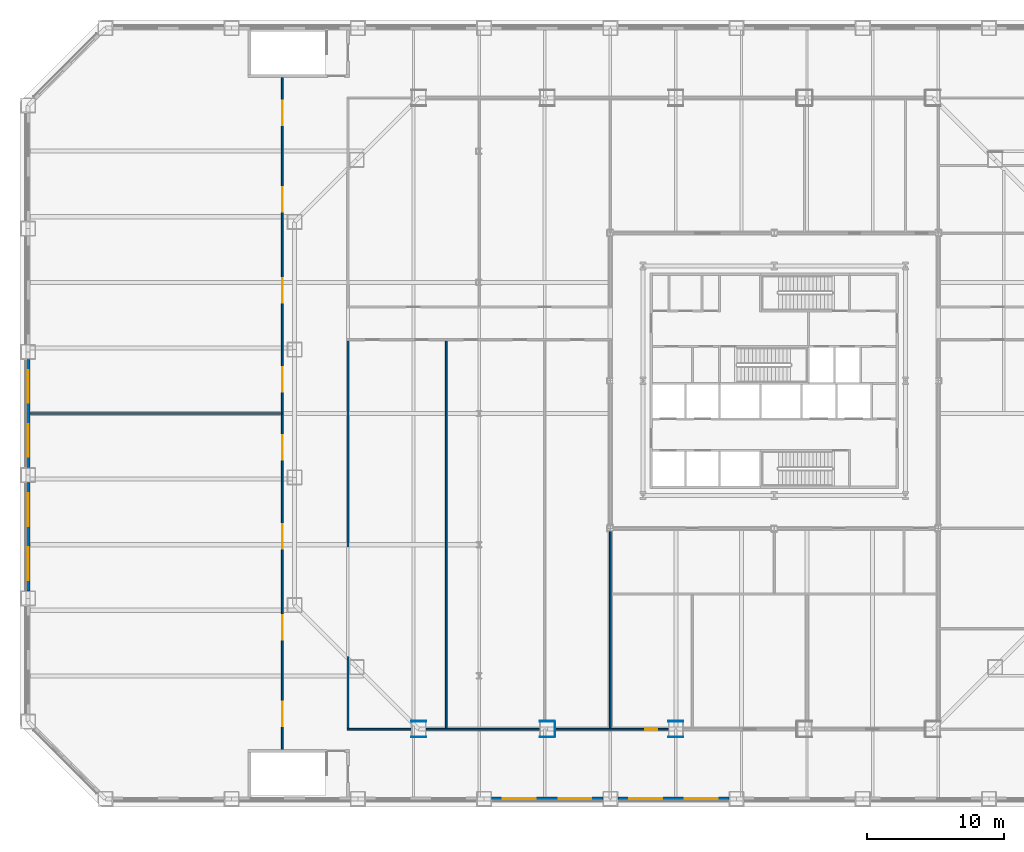
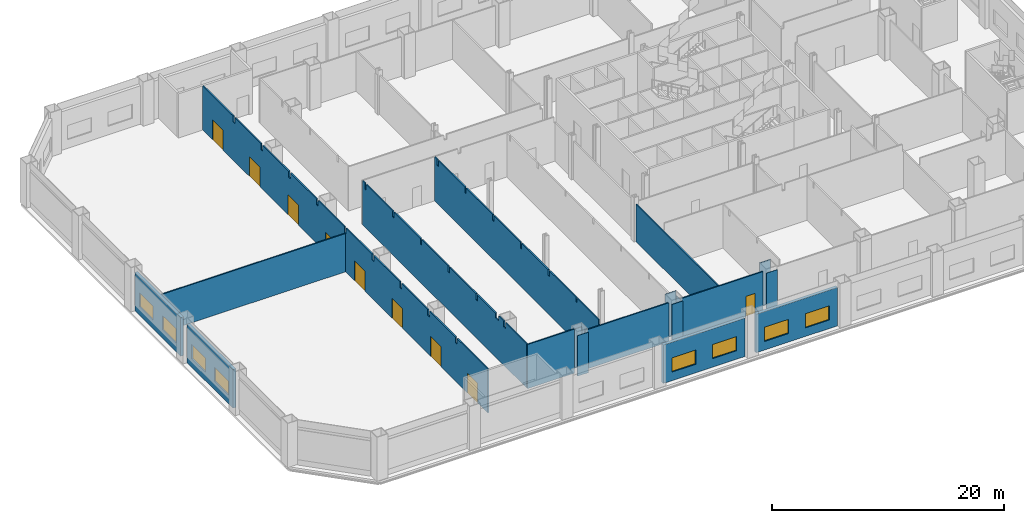
# One storey, part 9 of 22: 19 walls, 9 doors, 8 windows, 17 openings.
"""IFC4 building model written with IfcOpenShell, lengths in metres."""

from ifc_helpers import new_model, si_unit, direction, frame, frame_2d, origin, place, context, subcontext, project, spatial, polyline, rectangle, outline, extrude, material, layer, layer_set, type_object, element, fill, save


model = new_model("IFC4")

# Units and contexts
model_context = context("Model", 3, precision=1e-05, world=origin(), true_north=direction((0.0, 1.0)))
body_context = subcontext(model_context, "Body", "Model", "MODEL_VIEW")
ifc_project = project(units=[si_unit("LENGTHUNIT", "METRE"), si_unit("AREAUNIT", "SQUARE_METRE"), si_unit("VOLUMEUNIT", "CUBIC_METRE"), si_unit("PLANEANGLEUNIT", "RADIAN"), si_unit("MASSUNIT", "GRAM", prefix="KILO")], contexts=[model_context])

# Site, building, storey
site_placement = place(None, origin())
site = spatial("IfcSite", under=ifc_project, at=site_placement, CompositionType="ELEMENT")
building_placement = place(site_placement, origin())
building = spatial("IfcBuilding", under=site, at=building_placement, Name="Cairn Pilgrim Tower", CompositionType="ELEMENT")
storey_placement = place(building_placement, frame((0.0, 0.0, 35.39990234375)))
storey = spatial("IfcBuildingStorey", under=building, at=storey_placement, Name="L06", CompositionType="ELEMENT", Elevation=35.39990234375)

# Wall, openings, doors
ifc_material_1 = material(Name="Gypsum partition")
ifc_layer_1 = layer(ifc_material_1, 0.125)
ifc_layer_set_1 = layer_set([ifc_layer_1], Name="PARTITION 125 DRYWALL EI 60")
wall_type_1 = type_object("IfcWallType", Name="PARTITION 125 DRYWALL EI 60", PredefinedType="PARTITIONING", material=ifc_layer_set_1)
wall_1_placement = place(storey_placement, frame((-28.800048828125, -24.60009765625, 0.0), z_axis=(0.0, 0.0, 1.0), x_axis=(0.0, 1.0, 0.0)))
wall_1 = element("IfcWall", 1, at=wall_1_placement, inside=storey, type_object=wall_type_1, Name="PARTITION W007", PredefinedType="PARTITIONING", context=body_context, shape_type="SweptSolid", body=[
    extrude(outline(polyline([(0.0, 0.0), (49.2001953125, 0.0), (49.199951171875, 4.650146484375), (43.949951171875, 4.650146484375), (43.947998046875, 4.030029296875), (43.64990234375, 4.030029296875), (43.64794921875, 4.650146484375), (39.14990234375, 4.650146484375), (39.14794921875, 4.030029296875), (38.85009765625, 4.030029296875), (38.847900390625, 4.650146484375), (34.35009765625, 4.650146484375), (34.347900390625, 4.030029296875), (34.050048828125, 4.030029296875), (34.048095703125, 4.650146484375), (29.550048828125, 4.650146484375), (29.548095703125, 4.030029296875), (29.25, 4.030029296875), (29.248046875, 4.650146484375), (24.75, 4.650146484375), (24.748046875, 4.030029296875), (24.449951171875, 4.030029296875), (24.447998046875, 4.650146484375), (19.949951171875, 4.650146484375), (19.947998046875, 4.030029296875), (19.64990234375, 4.030029296875), (19.64794921875, 4.650146484375), (15.14990234375, 4.650146484375), (15.14794921875, 4.030029296875), (14.85009765625, 4.030029296875), (14.847900390625, 4.650146484375), (10.35009765625, 4.650146484375), (10.347900390625, 4.030029296875), (10.050048828125, 4.030029296875), (10.048095703125, 4.650146484375), (5.550048828125, 4.650146484375), (5.548095703125, 4.030029296875), (5.25, 4.030029296875), (5.248046875, 4.650146484375), (0.0, 4.650146484375), (0.0, 0.0)])), frame((0.0, 0.0625, 0.0), z_axis=(0.0, -1.0, 0.0), x_axis=(1.0, 0.0, 0.0)), (0.0, 0.0, 1.0), 0.125),
])
opening_1_placement = place(wall_1_placement, frame((1.699951171875, 0.0, 0.0)))
opening_1 = element("IfcOpeningElement", 2, at=opening_1_placement, cuts=wall_1, Name="Opening 0631", PredefinedType="OPENING", context=body_context, shape_type="SweptSolid", body=[
    extrude(rectangle(XDim=1.800048828125, YDim=2.10009765625, at=frame_2d((0.89990234375, 1.050048828125))), frame((0.0, 0.072509765625, 0.0), z_axis=(0.0, -1.0, 0.0), x_axis=(1.0, 0.0, 0.0)), (0.0, 0.0, 1.0), 0.14501953125),
])
opening_2_placement = place(wall_1_placement, frame((8.050048828125, 0.0, 0.0)))
opening_2 = element("IfcOpeningElement", 3, at=opening_2_placement, cuts=wall_1, Name="Opening 0632", PredefinedType="OPENING", context=body_context, shape_type="SweptSolid", body=[
    extrude(rectangle(XDim=1.800048828125, YDim=2.10009765625, at=frame_2d((0.89990234375, 1.050048828125))), frame((0.0, 0.072509765625, 0.0), z_axis=(0.0, -1.0, 0.0), x_axis=(1.0, 0.0, 0.0)), (0.0, 0.0, 1.0), 0.14501953125),
])
opening_3_placement = place(wall_1_placement, frame((14.699951171875, 0.0, 0.0)))
opening_3 = element("IfcOpeningElement", 4, at=opening_3_placement, cuts=wall_1, Name="Opening 0633", PredefinedType="OPENING", context=body_context, shape_type="SweptSolid", body=[
    extrude(rectangle(XDim=1.800048828125, YDim=2.10009765625, at=frame_2d((0.89990234375, 1.050048828125))), frame((0.0, 0.072509765625, 0.0), z_axis=(0.0, -1.0, 0.0), x_axis=(1.0, 0.0, 0.0)), (0.0, 0.0, 1.0), 0.14501953125),
])
opening_4_placement = place(wall_1_placement, frame((21.199951171875, 0.0, 0.0)))
opening_4 = element("IfcOpeningElement", 5, at=opening_4_placement, cuts=wall_1, Name="Opening 0634", PredefinedType="OPENING", context=body_context, shape_type="SweptSolid", body=[
    extrude(rectangle(XDim=1.800048828125, YDim=2.10009765625, at=frame_2d((0.89990234375, 1.050048828125))), frame((0.0, 0.072509765625, 0.0), z_axis=(0.0, -1.0, 0.0), x_axis=(1.0, 0.0, 0.0)), (0.0, 0.0, 1.0), 0.14501953125),
])
opening_5_placement = place(wall_1_placement, frame((26.199951171875, 0.0, 0.0)))
opening_5 = element("IfcOpeningElement", 6, at=opening_5_placement, cuts=wall_1, Name="Opening 0635", PredefinedType="OPENING", context=body_context, shape_type="SweptSolid", body=[
    extrude(rectangle(XDim=1.800048828125, YDim=2.10009765625, at=frame_2d((0.89990234375, 1.050048828125))), frame((0.0, 0.072509765625, 0.0), z_axis=(0.0, -1.0, 0.0), x_axis=(1.0, 0.0, 0.0)), (0.0, 0.0, 1.0), 0.14501953125),
])
opening_6_placement = place(wall_1_placement, frame((32.699951171875, 0.0, 0.0)))
opening_6 = element("IfcOpeningElement", 7, at=opening_6_placement, cuts=wall_1, Name="Opening 0636", PredefinedType="OPENING", context=body_context, shape_type="SweptSolid", body=[
    extrude(rectangle(XDim=1.800048828125, YDim=2.10009765625, at=frame_2d((0.89990234375, 1.050048828125))), frame((0.0, 0.072509765625, 0.0), z_axis=(0.0, -1.0, 0.0), x_axis=(1.0, 0.0, 0.0)), (0.0, 0.0, 1.0), 0.14501953125),
])
opening_7_placement = place(wall_1_placement, frame((39.35009765625, 0.0, 0.0)))
opening_7 = element("IfcOpeningElement", 8, at=opening_7_placement, cuts=wall_1, Name="Opening 0637", PredefinedType="OPENING", context=body_context, shape_type="SweptSolid", body=[
    extrude(rectangle(XDim=1.800048828125, YDim=2.10009765625, at=frame_2d((0.89990234375, 1.050048828125))), frame((0.0, 0.072509765625, 0.0), z_axis=(0.0, -1.0, 0.0), x_axis=(1.0, 0.0, 0.0)), (0.0, 0.0, 1.0), 0.14501953125),
])
opening_8_placement = place(wall_1_placement, frame((45.699951171875, 0.0, 0.0)))
opening_8 = element("IfcOpeningElement", 9, at=opening_8_placement, cuts=wall_1, Name="Opening 0638", PredefinedType="OPENING", context=body_context, shape_type="SweptSolid", body=[
    extrude(rectangle(XDim=1.800048828125, YDim=2.10009765625, at=frame_2d((0.89990234375, 1.050048828125))), frame((0.0, 0.072509765625, 0.0), z_axis=(0.0, -1.0, 0.0), x_axis=(1.0, 0.0, 0.0)), (0.0, 0.0, 1.0), 0.14501953125),
])
ifc_material_2 = material(Name="Timber door leaf", Category="wood")
door_type_1 = type_object("IfcDoorType", Name="DOOR PAIR 1800x2100 FD60S", OperationType="NOTDEFINED", PredefinedType="DOOR", material=ifc_material_2)
door_1_placement = place(opening_1_placement, frame((1.800048828125, 0.0, 0.0), z_axis=(0.0, 0.0, 1.0), x_axis=(-1.0, 0.0, 0.0)))
door_1 = element("IfcDoor", 10, at=door_1_placement, inside=storey, type_object=door_type_1, Name="DOOR 0631", OperationType="DOUBLE_DOOR_SINGLE_SWING", OverallHeight=2.10009765625, OverallWidth=1.800048828125, PredefinedType="DOOR", context=body_context, shape_type="SweptSolid", body=[
    extrude(rectangle(XDim=1.800048828125, YDim=2.10009765625, at=frame_2d((0.89990234375, 1.050048828125))), frame((0.0, 0.02490234375, 0.0), z_axis=(0.0, -1.0, 0.0), x_axis=(1.0, 0.0, 0.0)), (0.0, 0.0, 1.0), 0.050048828125),
])
fill(opening_1, door_1)
door_2_placement = place(opening_2_placement, frame((1.800048828125, 0.0, 0.0), z_axis=(0.0, 0.0, 1.0), x_axis=(-1.0, 0.0, 0.0)))
door_2 = element("IfcDoor", 11, at=door_2_placement, inside=storey, type_object=door_type_1, Name="DOOR 0632", OperationType="DOUBLE_DOOR_SINGLE_SWING", OverallHeight=2.10009765625, OverallWidth=1.800048828125, PredefinedType="DOOR", context=body_context, shape_type="SweptSolid", body=[
    extrude(rectangle(XDim=1.800048828125, YDim=2.10009765625, at=frame_2d((0.89990234375, 1.050048828125))), frame((0.0, 0.02490234375, 0.0), z_axis=(0.0, -1.0, 0.0), x_axis=(1.0, 0.0, 0.0)), (0.0, 0.0, 1.0), 0.050048828125),
])
fill(opening_2, door_2)
door_3_placement = place(opening_3_placement, frame((1.800048828125, 0.0, 0.0), z_axis=(0.0, 0.0, 1.0), x_axis=(-1.0, 0.0, 0.0)))
door_3 = element("IfcDoor", 12, at=door_3_placement, inside=storey, type_object=door_type_1, Name="DOOR 0633", OperationType="DOUBLE_DOOR_SINGLE_SWING", OverallHeight=2.10009765625, OverallWidth=1.800048828125, PredefinedType="DOOR", context=body_context, shape_type="SweptSolid", body=[
    extrude(rectangle(XDim=1.800048828125, YDim=2.10009765625, at=frame_2d((0.89990234375, 1.050048828125))), frame((0.0, 0.02490234375, 0.0), z_axis=(0.0, -1.0, 0.0), x_axis=(1.0, 0.0, 0.0)), (0.0, 0.0, 1.0), 0.050048828125),
])
fill(opening_3, door_3)
door_4_placement = place(opening_4_placement, frame((1.800048828125, 0.0, 0.0), z_axis=(0.0, 0.0, 1.0), x_axis=(-1.0, 0.0, 0.0)))
door_4 = element("IfcDoor", 13, at=door_4_placement, inside=storey, type_object=door_type_1, Name="DOOR 0634", OperationType="DOUBLE_DOOR_SINGLE_SWING", OverallHeight=2.10009765625, OverallWidth=1.800048828125, PredefinedType="DOOR", context=body_context, shape_type="SweptSolid", body=[
    extrude(rectangle(XDim=1.800048828125, YDim=2.10009765625, at=frame_2d((0.89990234375, 1.050048828125))), frame((0.0, 0.02490234375, 0.0), z_axis=(0.0, -1.0, 0.0), x_axis=(1.0, 0.0, 0.0)), (0.0, 0.0, 1.0), 0.050048828125),
])
fill(opening_4, door_4)
door_5_placement = place(opening_5_placement, frame((1.800048828125, 0.0, 0.0), z_axis=(0.0, 0.0, 1.0), x_axis=(-1.0, 0.0, 0.0)))
door_5 = element("IfcDoor", 14, at=door_5_placement, inside=storey, type_object=door_type_1, Name="DOOR 0635", OperationType="DOUBLE_DOOR_SINGLE_SWING", OverallHeight=2.10009765625, OverallWidth=1.800048828125, PredefinedType="DOOR", context=body_context, shape_type="SweptSolid", body=[
    extrude(rectangle(XDim=1.800048828125, YDim=2.10009765625, at=frame_2d((0.89990234375, 1.050048828125))), frame((0.0, 0.02490234375, 0.0), z_axis=(0.0, -1.0, 0.0), x_axis=(1.0, 0.0, 0.0)), (0.0, 0.0, 1.0), 0.050048828125),
])
fill(opening_5, door_5)
door_6_placement = place(opening_6_placement, frame((1.800048828125, 0.0, 0.0), z_axis=(0.0, 0.0, 1.0), x_axis=(-1.0, 0.0, 0.0)))
door_6 = element("IfcDoor", 15, at=door_6_placement, inside=storey, type_object=door_type_1, Name="DOOR 0636", OperationType="DOUBLE_DOOR_SINGLE_SWING", OverallHeight=2.10009765625, OverallWidth=1.800048828125, PredefinedType="DOOR", context=body_context, shape_type="SweptSolid", body=[
    extrude(rectangle(XDim=1.800048828125, YDim=2.10009765625, at=frame_2d((0.89990234375, 1.050048828125))), frame((0.0, 0.02490234375, 0.0), z_axis=(0.0, -1.0, 0.0), x_axis=(1.0, 0.0, 0.0)), (0.0, 0.0, 1.0), 0.050048828125),
])
fill(opening_6, door_6)
door_7_placement = place(opening_7_placement, frame((1.800048828125, 0.0, 0.0), z_axis=(0.0, 0.0, 1.0), x_axis=(-1.0, 0.0, 0.0)))
door_7 = element("IfcDoor", 16, at=door_7_placement, inside=storey, type_object=door_type_1, Name="DOOR 0637", OperationType="DOUBLE_DOOR_SINGLE_SWING", OverallHeight=2.10009765625, OverallWidth=1.800048828125, PredefinedType="DOOR", context=body_context, shape_type="SweptSolid", body=[
    extrude(rectangle(XDim=1.800048828125, YDim=2.10009765625, at=frame_2d((0.89990234375, 1.050048828125))), frame((0.0, 0.02490234375, 0.0), z_axis=(0.0, -1.0, 0.0), x_axis=(1.0, 0.0, 0.0)), (0.0, 0.0, 1.0), 0.050048828125),
])
fill(opening_7, door_7)
door_8_placement = place(opening_8_placement, frame((1.800048828125, 0.0, 0.0), z_axis=(0.0, 0.0, 1.0), x_axis=(-1.0, 0.0, 0.0)))
door_8 = element("IfcDoor", 17, at=door_8_placement, inside=storey, type_object=door_type_1, Name="DOOR 0638", OperationType="DOUBLE_DOOR_SINGLE_SWING", OverallHeight=2.10009765625, OverallWidth=1.800048828125, PredefinedType="DOOR", context=body_context, shape_type="SweptSolid", body=[
    extrude(rectangle(XDim=1.800048828125, YDim=2.10009765625, at=frame_2d((0.89990234375, 1.050048828125))), frame((0.0, 0.02490234375, 0.0), z_axis=(0.0, -1.0, 0.0), x_axis=(1.0, 0.0, 0.0)), (0.0, 0.0, 1.0), 0.050048828125),
])
fill(opening_8, door_8)

# Walls
wall_2_placement = place(storey_placement, frame((-24.0625, -23.10009765625, 0.0), z_axis=(0.0, 0.0, 1.0), x_axis=(1.0, 0.0, 0.0)))
element("IfcWall", 18, at=wall_2_placement, inside=storey, type_object=wall_type_1, Name="PARTITION W008", PredefinedType="PARTITIONING", context=body_context, shape_type="SweptSolid", body=[
    extrude(rectangle(XDim=4.685302734375, YDim=0.125, at=frame_2d((2.3427734375, 0.0))), origin(), (0.0, 0.0, 1.0), 4.650146484375),
])
wall_3_placement = place(storey_placement, frame((-18.277099609375, -23.10009765625, 0.0), z_axis=(0.0, 0.0, 1.0), x_axis=(1.0, 0.0, 0.0)))
element("IfcWall", 19, at=wall_3_placement, inside=storey, type_object=wall_type_1, Name="PARTITION W009", PredefinedType="PARTITIONING", context=body_context, shape_type="SweptSolid", body=[
    extrude(rectangle(XDim=8.3134765625, YDim=0.125, at=frame_2d((4.15673828125, 0.0))), origin(), (0.0, 0.0, 1.0), 4.130126953125),
])

# Wall, opening, door
wall_4_placement = place(storey_placement, frame((-8.863525390625, -23.10009765625, 0.0), z_axis=(0.0, 0.0, 1.0), x_axis=(1.0, 0.0, 0.0)))
wall_4 = element("IfcWall", 20, at=wall_4_placement, inside=storey, type_object=wall_type_1, Name="PARTITION W010", PredefinedType="PARTITIONING", context=body_context, shape_type="SweptSolid", body=[
    extrude(rectangle(XDim=8.3134765625, YDim=0.125, at=frame_2d((4.15673828125, 0.0))), origin(), (0.0, 0.0, 1.0), 4.130126953125),
])
opening_9_placement = place(wall_4_placement, frame((6.613525390625, 0.0, 0.0)))
opening_9 = element("IfcOpeningElement", 21, at=opening_9_placement, cuts=wall_4, Name="Opening 0614", PredefinedType="OPENING", context=body_context, shape_type="SweptSolid", body=[
    extrude(rectangle(XDim=0.89990234375, YDim=2.10009765625, at=frame_2d((0.449951171875, 1.050048828125))), frame((0.0, 0.072509765625, 0.0), z_axis=(0.0, -1.0, 0.0), x_axis=(1.0, 0.0, 0.0)), (0.0, 0.0, 1.0), 0.14501953125),
])
door_type_2 = type_object("IfcDoorType", Name="SERVICE DOOR 900x2100 FD30S", OperationType="NOTDEFINED", PredefinedType="DOOR", material=ifc_material_2)
door_9_placement = place(opening_9_placement, frame((0.89990234375, 0.0, 0.0), z_axis=(0.0, 0.0, 1.0), x_axis=(-1.0, 0.0, 0.0)))
door_9 = element("IfcDoor", 22, at=door_9_placement, inside=storey, type_object=door_type_2, Name="DOOR 0614", OperationType="SINGLE_SWING_RIGHT", OverallHeight=2.10009765625, OverallWidth=0.89990234375, PredefinedType="DOOR", context=body_context, shape_type="SweptSolid", body=[
    extrude(rectangle(XDim=0.89990234375, YDim=2.10009765625, at=frame_2d((0.449951171875, 1.050048828125))), frame((0.0, 0.02490234375, 0.0), z_axis=(0.0, -1.0, 0.0), x_axis=(1.0, 0.0, 0.0)), (0.0, 0.0, 1.0), 0.050048828125),
])
fill(opening_9, door_9)

# Walls
wall_5_placement = place(storey_placement, frame((-24.0, -23.03759765625, 0.0), z_axis=(0.0, 0.0, 1.0), x_axis=(0.0, 1.0, 0.0)))
element("IfcWall", 23, at=wall_5_placement, inside=storey, type_object=wall_type_1, Name="PARTITION W014", PredefinedType="PARTITIONING", context=body_context, shape_type="SweptSolid", body=[
    extrude(outline(polyline([(0.0, 0.0), (28.375, 0.0), (28.375, 4.650146484375), (27.947509765625, 4.650146484375), (27.945556640625, 4.030029296875), (27.7275390625, 4.030029296875), (27.7255859375, 4.650146484375), (23.1474609375, 4.650146484375), (23.1455078125, 4.030029296875), (22.927490234375, 4.030029296875), (22.925537109375, 4.650146484375), (18.347412109375, 4.650146484375), (18.345458984375, 4.030029296875), (18.12744140625, 4.030029296875), (18.12548828125, 4.650146484375), (13.547607421875, 4.650146484375), (13.54541015625, 4.030029296875), (13.327392578125, 4.030029296875), (13.325439453125, 4.650146484375), (8.74755859375, 4.650146484375), (8.74560546875, 4.030029296875), (8.527587890625, 4.030029296875), (8.525390625, 4.650146484375), (5.385009765625, 4.650146484375), (5.3828125, 4.130126953125), (4.835693359375, 4.130126953125), (4.833740234375, 4.650146484375), (3.987548828125, 4.650146484375), (3.985595703125, 4.030029296875), (3.6875, 4.030029296875), (3.685546875, 4.650146484375), (0.0, 4.650146484375), (0.0, 0.0)])), frame((0.0, 0.0625, 0.0), z_axis=(0.0, -1.0, 0.0), x_axis=(1.0, 0.0, 0.0)), (0.0, 0.0, 1.0), 0.125),
])
wall_6_placement = place(storey_placement, frame((-16.800048828125, -23.03759765625, 0.0), z_axis=(0.0, 0.0, 1.0), x_axis=(0.0, 1.0, 0.0)))
element("IfcWall", 24, at=wall_6_placement, inside=storey, type_object=wall_type_1, Name="PARTITION W015", PredefinedType="PARTITIONING", context=body_context, shape_type="SweptSolid", body=[
    extrude(outline(polyline([(0.0, 0.0), (28.375, 0.0), (28.375, 4.650146484375), (27.947509765625, 4.650146484375), (27.945556640625, 4.030029296875), (27.7275390625, 4.030029296875), (27.7255859375, 4.650146484375), (23.1474609375, 4.650146484375), (23.1455078125, 4.030029296875), (22.927490234375, 4.030029296875), (22.925537109375, 4.650146484375), (18.347412109375, 4.650146484375), (18.345458984375, 4.030029296875), (18.12744140625, 4.030029296875), (18.12548828125, 4.650146484375), (13.547607421875, 4.650146484375), (13.54541015625, 4.030029296875), (13.327392578125, 4.030029296875), (13.325439453125, 4.650146484375), (8.74755859375, 4.650146484375), (8.74560546875, 4.030029296875), (8.527587890625, 4.030029296875), (8.525390625, 4.650146484375), (3.9326171875, 4.650146484375), (3.930419921875, 4.18017578125), (3.742431640625, 4.18017578125), (3.740478515625, 4.650146484375), (0.08740234375, 4.650146484375), (0.08544921875, 4.130126953125), (0.0, 4.130126953125), (0.0, 0.0)])), frame((0.0, 0.0625, 0.0), z_axis=(0.0, -1.0, 0.0), x_axis=(1.0, 0.0, 0.0)), (0.0, 0.0, 1.0), 0.125),
])
wall_7_placement = place(storey_placement, frame((-4.800048828125, -23.03759765625, 0.0), z_axis=(0.0, 0.0, 1.0), x_axis=(0.0, 1.0, 0.0)))
element("IfcWall", 25, at=wall_7_placement, inside=storey, type_object=wall_type_1, Name="PARTITION W016", PredefinedType="PARTITIONING", context=body_context, shape_type="SweptSolid", body=[
    extrude(rectangle(XDim=14.400634765625, YDim=0.125, at=frame_2d((7.2001953125, 0.0))), origin(), (0.0, 0.0, 1.0), 3.93017578125),
])
wall_8_placement = place(storey_placement, frame((-47.25, 0.0, 0.0), z_axis=(0.0, 0.0, 1.0), x_axis=(1.0, 0.0, 0.0)))
element("IfcWall", 26, at=wall_8_placement, inside=storey, type_object=wall_type_1, Name="PARTITION W038", PredefinedType="PARTITIONING", context=body_context, shape_type="SweptSolid", body=[
    extrude(rectangle(XDim=18.387451171875, YDim=0.125, at=frame_2d((9.19384765625, 0.0))), origin(), (0.0, 0.0, 1.0), 4.030029296875),
])
ifc_layer_2 = layer(ifc_material_1, 0.050048828125)
ifc_layer_set_2 = layer_set([ifc_layer_2], Name="PARTITION 50 DRYWALL EI 60")
wall_type_2 = type_object("IfcWallType", Name="PARTITION 50 DRYWALL EI 60", PredefinedType="PARTITIONING", material=ifc_layer_set_2)
wall_9_placement = place(storey_placement, frame((-19.377197265625, -22.52490234375, 0.0), z_axis=(0.0, 0.0, 1.0), x_axis=(1.0, 0.0, 0.0)))
element("IfcWall", 27, at=wall_9_placement, inside=storey, type_object=wall_type_2, Name="COLUMN CASING WC01", PredefinedType="PARTITIONING", context=body_context, shape_type="SweptSolid", body=[
    extrude(rectangle(XDim=1.10009765625, YDim=0.050048828125, at=frame_2d((0.550048828125, 0.0))), origin(), (0.0, 0.0, 1.0), 4.130126953125),
])
wall_10_placement = place(storey_placement, frame((-19.377197265625, -23.675048828125, 0.0), z_axis=(0.0, 0.0, 1.0), x_axis=(1.0, 0.0, 0.0)))
element("IfcWall", 28, at=wall_10_placement, inside=storey, type_object=wall_type_2, Name="COLUMN CASING WC02", PredefinedType="PARTITIONING", context=body_context, shape_type="SweptSolid", body=[
    extrude(rectangle(XDim=1.10009765625, YDim=0.050048828125, at=frame_2d((0.550048828125, 0.0))), origin(), (0.0, 0.0, 1.0), 4.27001953125),
])
wall_11_placement = place(storey_placement, frame((-9.963623046875, -22.52490234375, 0.0), z_axis=(0.0, 0.0, 1.0), x_axis=(1.0, 0.0, 0.0)))
element("IfcWall", 29, at=wall_11_placement, inside=storey, type_object=wall_type_2, Name="COLUMN CASING WC03", PredefinedType="PARTITIONING", context=body_context, shape_type="SweptSolid", body=[
    extrude(rectangle(XDim=1.10009765625, YDim=0.050048828125, at=frame_2d((0.550048828125, 0.0))), origin(), (0.0, 0.0, 1.0), 4.650146484375),
])
wall_12_placement = place(storey_placement, frame((-9.963623046875, -23.675048828125, 0.0), z_axis=(0.0, 0.0, 1.0), x_axis=(1.0, 0.0, 0.0)))
element("IfcWall", 30, at=wall_12_placement, inside=storey, type_object=wall_type_2, Name="COLUMN CASING WC04", PredefinedType="PARTITIONING", context=body_context, shape_type="SweptSolid", body=[
    extrude(rectangle(XDim=1.10009765625, YDim=0.050048828125, at=frame_2d((0.550048828125, 0.0))), origin(), (0.0, 0.0, 1.0), 4.27001953125),
])
wall_13_placement = place(storey_placement, frame((-0.550048828125, -22.52490234375, 0.0), z_axis=(0.0, 0.0, 1.0), x_axis=(1.0, 0.0, 0.0)))
element("IfcWall", 31, at=wall_13_placement, inside=storey, type_object=wall_type_2, Name="COLUMN CASING WC05", PredefinedType="PARTITIONING", context=body_context, shape_type="SweptSolid", body=[
    extrude(rectangle(XDim=1.10009765625, YDim=0.050048828125, at=frame_2d((0.550048828125, 0.0))), origin(), (0.0, 0.0, 1.0), 4.650146484375),
])
wall_14_placement = place(storey_placement, frame((-0.550048828125, -23.675048828125, 0.0), z_axis=(0.0, 0.0, 1.0), x_axis=(1.0, 0.0, 0.0)))
element("IfcWall", 32, at=wall_14_placement, inside=storey, type_object=wall_type_2, Name="COLUMN CASING WC06", PredefinedType="PARTITIONING", context=body_context, shape_type="SweptSolid", body=[
    extrude(rectangle(XDim=1.10009765625, YDim=0.050048828125, at=frame_2d((0.550048828125, 0.0))), origin(), (0.0, 0.0, 1.0), 4.27001953125),
])
wall_15_placement = place(storey_placement, frame((-8.838623046875, -23.64990234375, 0.0), z_axis=(0.0, 0.0, 1.0), x_axis=(0.0, 1.0, 0.0)))
element("IfcWall", 33, at=wall_15_placement, inside=storey, type_object=wall_type_2, Name="COLUMN CASING WC11", PredefinedType="PARTITIONING", context=body_context, shape_type="SweptSolid", body=[
    extrude(rectangle(XDim=1.099853515625, YDim=0.050048828125, at=frame_2d((0.5498046875, 0.0))), origin(), (0.0, 0.0, 1.0), 4.130126953125),
])

# Wall, openings, windows
ifc_material_3 = material(Name="Concrete C35/45 backup wall with bronze aluminium cladding", Category="concrete")
ifc_layer_3 = layer(ifc_material_3, 0.300048828125)
ifc_layer_set_3 = layer_set([ifc_layer_3], Name="PODIUM WALL 300 BRONZE-CLAD")
wall_type_3 = type_object("IfcWallType", Name="PODIUM WALL 300 BRONZE-CLAD", PredefinedType="SOLIDWALL", material=ifc_layer_set_3)
wall_16_placement = place(storey_placement, frame((-13.48779296875, -28.199951171875, 0.0), z_axis=(0.0, 0.0, 1.0), x_axis=(1.0, 0.0, 0.0)))
wall_16 = element("IfcWall", 34, at=wall_16_placement, inside=storey, type_object=wall_type_3, Name="PODIUM EXTERNAL WALL S4-S5", PredefinedType="SOLIDWALL", context=body_context, shape_type="SweptSolid", body=[
    extrude(rectangle(XDim=8.1376953125, YDim=0.300048828125, at=frame_2d((4.06884765625, 0.0))), origin(), (0.0, 0.0, 1.0), 4.050048828125),
])
opening_10_placement = place(wall_16_placement, frame((0.83447265625, 0.0, 0.89990234375)))
opening_10 = element("IfcOpeningElement", 35, at=opening_10_placement, cuts=wall_16, Name="Opening PW15", PredefinedType="OPENING", context=body_context, shape_type="SweptSolid", body=[
    extrude(rectangle(XDim=2.39990234375, YDim=1.5, at=frame_2d((1.199951171875, 0.75))), frame((0.0, 0.16015625, 0.0), z_axis=(0.0, -1.0, 0.0), x_axis=(1.0, 0.0, 0.0)), (0.0, 0.0, 1.0), 0.320068359375),
])
opening_11_placement = place(wall_16_placement, frame((4.9033203125, 0.0, 0.89990234375)))
opening_11 = element("IfcOpeningElement", 36, at=opening_11_placement, cuts=wall_16, Name="Opening PW15", PredefinedType="OPENING", context=body_context, shape_type="SweptSolid", body=[
    extrude(rectangle(XDim=2.39990234375, YDim=1.5, at=frame_2d((1.199951171875, 0.75))), frame((0.0, 0.16015625, 0.0), z_axis=(0.0, -1.0, 0.0), x_axis=(1.0, 0.0, 0.0)), (0.0, 0.0, 1.0), 0.320068359375),
])
ifc_material_4 = material(Name="Bronze anodised aluminium frame with tinted low-E glass", Category="aluminium")
window_type = type_object("IfcWindowType", Name="PODIUM FIXED WINDOW 2400x1500", PartitioningType="SINGLE_PANEL", PredefinedType="WINDOW", material=ifc_material_4)
window_1_placement = place(opening_10_placement, origin())
window_1 = element("IfcWindow", 37, at=window_1_placement, inside=storey, type_object=window_type, Name="PODIUM WINDOW", OverallHeight=1.5, OverallWidth=2.39990234375, PartitioningType="SINGLE_PANEL", PredefinedType="WINDOW", context=body_context, shape_type="SweptSolid", body=[
    extrude(rectangle(XDim=2.39990234375, YDim=1.5, at=frame_2d((1.199951171875, 0.75))), frame((0.0, 0.030029296875, 0.0), z_axis=(0.0, -1.0, 0.0), x_axis=(1.0, 0.0, 0.0)), (0.0, 0.0, 1.0), 0.06005859375),
])
fill(opening_10, window_1)
window_2_placement = place(opening_11_placement, origin())
window_2 = element("IfcWindow", 38, at=window_2_placement, inside=storey, type_object=window_type, Name="PODIUM WINDOW", OverallHeight=1.5, OverallWidth=2.39990234375, PartitioningType="SINGLE_PANEL", PredefinedType="WINDOW", context=body_context, shape_type="SweptSolid", body=[
    extrude(rectangle(XDim=2.39990234375, YDim=1.5, at=frame_2d((1.199951171875, 0.75))), frame((0.0, 0.030029296875, 0.0), z_axis=(0.0, -1.0, 0.0), x_axis=(1.0, 0.0, 0.0)), (0.0, 0.0, 1.0), 0.06005859375),
])
fill(opening_11, window_2)

wall_17_placement = place(storey_placement, frame((-4.25, -28.199951171875, 0.0), z_axis=(0.0, 0.0, 1.0), x_axis=(1.0, 0.0, 0.0)))
wall_17 = element("IfcWall", 39, at=wall_17_placement, inside=storey, type_object=wall_type_3, Name="PODIUM EXTERNAL WALL S5-S6", PredefinedType="SOLIDWALL", context=body_context, shape_type="SweptSolid", body=[
    extrude(rectangle(XDim=8.137939453125, YDim=0.300048828125, at=frame_2d((4.06884765625, 0.0))), origin(), (0.0, 0.0, 1.0), 4.050048828125),
])
opening_12_placement = place(wall_17_placement, frame((0.83447265625, 0.0, 0.89990234375)))
opening_12 = element("IfcOpeningElement", 40, at=opening_12_placement, cuts=wall_17, Name="Opening PW15", PredefinedType="OPENING", context=body_context, shape_type="SweptSolid", body=[
    extrude(rectangle(XDim=2.39990234375, YDim=1.5, at=frame_2d((1.199951171875, 0.75))), frame((0.0, 0.16015625, 0.0), z_axis=(0.0, -1.0, 0.0), x_axis=(1.0, 0.0, 0.0)), (0.0, 0.0, 1.0), 0.320068359375),
])
opening_13_placement = place(wall_17_placement, frame((4.9033203125, 0.0, 0.89990234375)))
opening_13 = element("IfcOpeningElement", 41, at=opening_13_placement, cuts=wall_17, Name="Opening PW15", PredefinedType="OPENING", context=body_context, shape_type="SweptSolid", body=[
    extrude(rectangle(XDim=2.39990234375, YDim=1.5, at=frame_2d((1.199951171875, 0.75))), frame((0.0, 0.16015625, 0.0), z_axis=(0.0, -1.0, 0.0), x_axis=(1.0, 0.0, 0.0)), (0.0, 0.0, 1.0), 0.320068359375),
])
window_3_placement = place(opening_12_placement, origin())
window_3 = element("IfcWindow", 42, at=window_3_placement, inside=storey, type_object=window_type, Name="PODIUM WINDOW", OverallHeight=1.5, OverallWidth=2.39990234375, PartitioningType="SINGLE_PANEL", PredefinedType="WINDOW", context=body_context, shape_type="SweptSolid", body=[
    extrude(rectangle(XDim=2.39990234375, YDim=1.5, at=frame_2d((1.199951171875, 0.75))), frame((0.0, 0.030029296875, 0.0), z_axis=(0.0, -1.0, 0.0), x_axis=(1.0, 0.0, 0.0)), (0.0, 0.0, 1.0), 0.06005859375),
])
fill(opening_12, window_3)
window_4_placement = place(opening_13_placement, origin())
window_4 = element("IfcWindow", 43, at=window_4_placement, inside=storey, type_object=window_type, Name="PODIUM WINDOW", OverallHeight=1.5, OverallWidth=2.39990234375, PartitioningType="SINGLE_PANEL", PredefinedType="WINDOW", context=body_context, shape_type="SweptSolid", body=[
    extrude(rectangle(XDim=2.39990234375, YDim=1.5, at=frame_2d((1.199951171875, 0.75))), frame((0.0, 0.030029296875, 0.0), z_axis=(0.0, -1.0, 0.0), x_axis=(1.0, 0.0, 0.0)), (0.0, 0.0, 1.0), 0.06005859375),
])
fill(opening_13, window_4)

wall_18_placement = place(storey_placement, frame((-47.39990234375, 3.960205078125, 0.0), z_axis=(0.0, 0.0, 1.0), x_axis=(0.0, -1.0, 0.0)))
wall_18 = element("IfcWall", 44, at=wall_18_placement, inside=storey, type_object=wall_type_3, Name="PODIUM EXTERNAL WALL W3-W4", PredefinedType="SOLIDWALL", context=body_context, shape_type="SweptSolid", body=[
    extrude(rectangle(XDim=7.92041015625, YDim=0.300048828125, at=frame_2d((3.960205078125, 0.0))), origin(), (0.0, 0.0, 1.0), 4.050048828125),
])
opening_14_placement = place(wall_18_placement, frame((0.780029296875, 0.0, 0.89990234375)))
opening_14 = element("IfcOpeningElement", 45, at=opening_14_placement, cuts=wall_18, Name="Opening PW15", PredefinedType="OPENING", context=body_context, shape_type="SweptSolid", body=[
    extrude(rectangle(XDim=2.39990234375, YDim=1.5, at=frame_2d((1.199951171875, 0.75))), frame((0.0, 0.16015625, 0.0), z_axis=(0.0, -1.0, 0.0), x_axis=(1.0, 0.0, 0.0)), (0.0, 0.0, 1.0), 0.320068359375),
])
opening_15_placement = place(wall_18_placement, frame((4.740478515625, 0.0, 0.89990234375)))
opening_15 = element("IfcOpeningElement", 46, at=opening_15_placement, cuts=wall_18, Name="Opening PW15", PredefinedType="OPENING", context=body_context, shape_type="SweptSolid", body=[
    extrude(rectangle(XDim=2.39990234375, YDim=1.5, at=frame_2d((1.199951171875, 0.75))), frame((0.0, 0.16015625, 0.0), z_axis=(0.0, -1.0, 0.0), x_axis=(1.0, 0.0, 0.0)), (0.0, 0.0, 1.0), 0.320068359375),
])
window_5_placement = place(opening_14_placement, origin())
window_5 = element("IfcWindow", 47, at=window_5_placement, inside=storey, type_object=window_type, Name="PODIUM WINDOW", OverallHeight=1.5, OverallWidth=2.39990234375, PartitioningType="SINGLE_PANEL", PredefinedType="WINDOW", context=body_context, shape_type="SweptSolid", body=[
    extrude(rectangle(XDim=2.39990234375, YDim=1.5, at=frame_2d((1.199951171875, 0.75))), frame((0.0, 0.030029296875, 0.0), z_axis=(0.0, -1.0, 0.0), x_axis=(1.0, 0.0, 0.0)), (0.0, 0.0, 1.0), 0.06005859375),
])
fill(opening_14, window_5)
window_6_placement = place(opening_15_placement, origin())
window_6 = element("IfcWindow", 48, at=window_6_placement, inside=storey, type_object=window_type, Name="PODIUM WINDOW", OverallHeight=1.5, OverallWidth=2.39990234375, PartitioningType="SINGLE_PANEL", PredefinedType="WINDOW", context=body_context, shape_type="SweptSolid", body=[
    extrude(rectangle(XDim=2.39990234375, YDim=1.5, at=frame_2d((1.199951171875, 0.75))), frame((0.0, 0.030029296875, 0.0), z_axis=(0.0, -1.0, 0.0), x_axis=(1.0, 0.0, 0.0)), (0.0, 0.0, 1.0), 0.06005859375),
])
fill(opening_15, window_6)

wall_19_placement = place(storey_placement, frame((-47.39990234375, -5.060302734375, 0.0), z_axis=(0.0, 0.0, 1.0), x_axis=(0.0, -1.0, 0.0)))
wall_19 = element("IfcWall", 49, at=wall_19_placement, inside=storey, type_object=wall_type_3, Name="PODIUM EXTERNAL WALL W4-W5", PredefinedType="SOLIDWALL", context=body_context, shape_type="SweptSolid", body=[
    extrude(rectangle(XDim=7.920654296875, YDim=0.300048828125, at=frame_2d((3.96044921875, 0.0))), origin(), (0.0, 0.0, 1.0), 4.050048828125),
])
opening_16_placement = place(wall_19_placement, frame((0.780029296875, 0.0, 0.89990234375)))
opening_16 = element("IfcOpeningElement", 50, at=opening_16_placement, cuts=wall_19, Name="Opening PW15", PredefinedType="OPENING", context=body_context, shape_type="SweptSolid", body=[
    extrude(rectangle(XDim=2.39990234375, YDim=1.5, at=frame_2d((1.199951171875, 0.75))), frame((0.0, 0.16015625, 0.0), z_axis=(0.0, -1.0, 0.0), x_axis=(1.0, 0.0, 0.0)), (0.0, 0.0, 1.0), 0.320068359375),
])
opening_17_placement = place(wall_19_placement, frame((4.740478515625, 0.0, 0.89990234375)))
opening_17 = element("IfcOpeningElement", 51, at=opening_17_placement, cuts=wall_19, Name="Opening PW15", PredefinedType="OPENING", context=body_context, shape_type="SweptSolid", body=[
    extrude(rectangle(XDim=2.39990234375, YDim=1.5, at=frame_2d((1.199951171875, 0.75))), frame((0.0, 0.16015625, 0.0), z_axis=(0.0, -1.0, 0.0), x_axis=(1.0, 0.0, 0.0)), (0.0, 0.0, 1.0), 0.320068359375),
])
window_7_placement = place(opening_16_placement, origin())
window_7 = element("IfcWindow", 52, at=window_7_placement, inside=storey, type_object=window_type, Name="PODIUM WINDOW", OverallHeight=1.5, OverallWidth=2.39990234375, PartitioningType="SINGLE_PANEL", PredefinedType="WINDOW", context=body_context, shape_type="SweptSolid", body=[
    extrude(rectangle(XDim=2.39990234375, YDim=1.5, at=frame_2d((1.199951171875, 0.75))), frame((0.0, 0.030029296875, 0.0), z_axis=(0.0, -1.0, 0.0), x_axis=(1.0, 0.0, 0.0)), (0.0, 0.0, 1.0), 0.06005859375),
])
fill(opening_16, window_7)
window_8_placement = place(opening_17_placement, origin())
window_8 = element("IfcWindow", 53, at=window_8_placement, inside=storey, type_object=window_type, Name="PODIUM WINDOW", OverallHeight=1.5, OverallWidth=2.39990234375, PartitioningType="SINGLE_PANEL", PredefinedType="WINDOW", context=body_context, shape_type="SweptSolid", body=[
    extrude(rectangle(XDim=2.39990234375, YDim=1.5, at=frame_2d((1.199951171875, 0.75))), frame((0.0, 0.030029296875, 0.0), z_axis=(0.0, -1.0, 0.0), x_axis=(1.0, 0.0, 0.0)), (0.0, 0.0, 1.0), 0.06005859375),
])
fill(opening_17, window_8)

save(model, "model.ifc")
